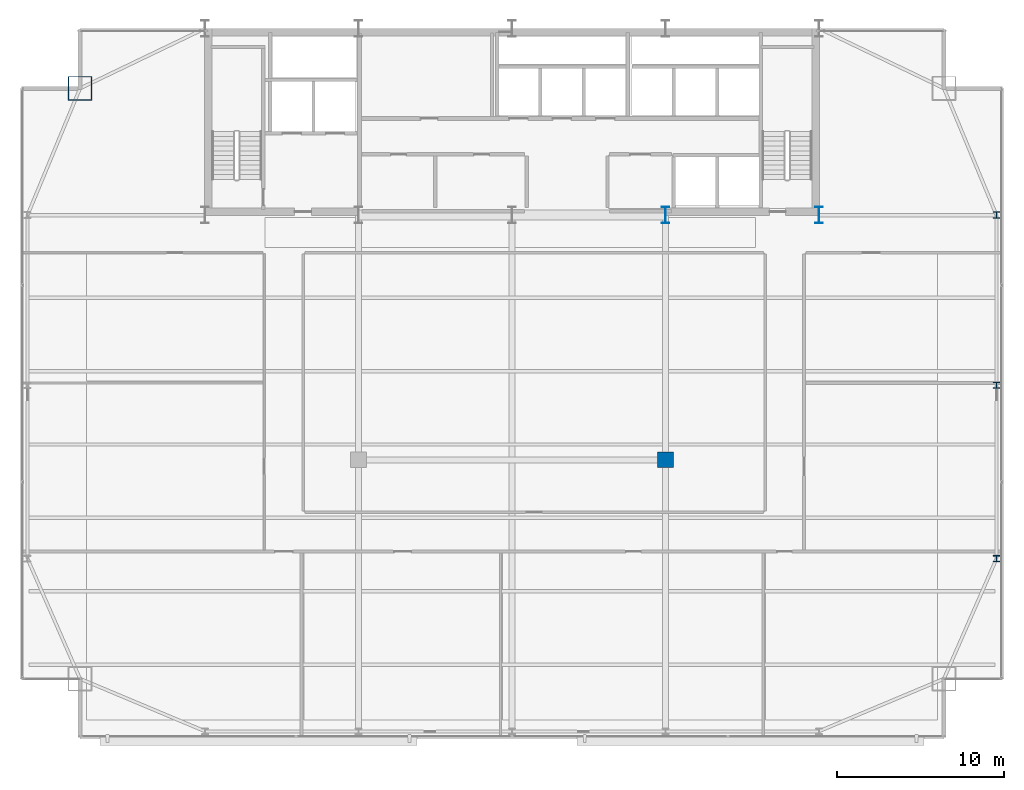
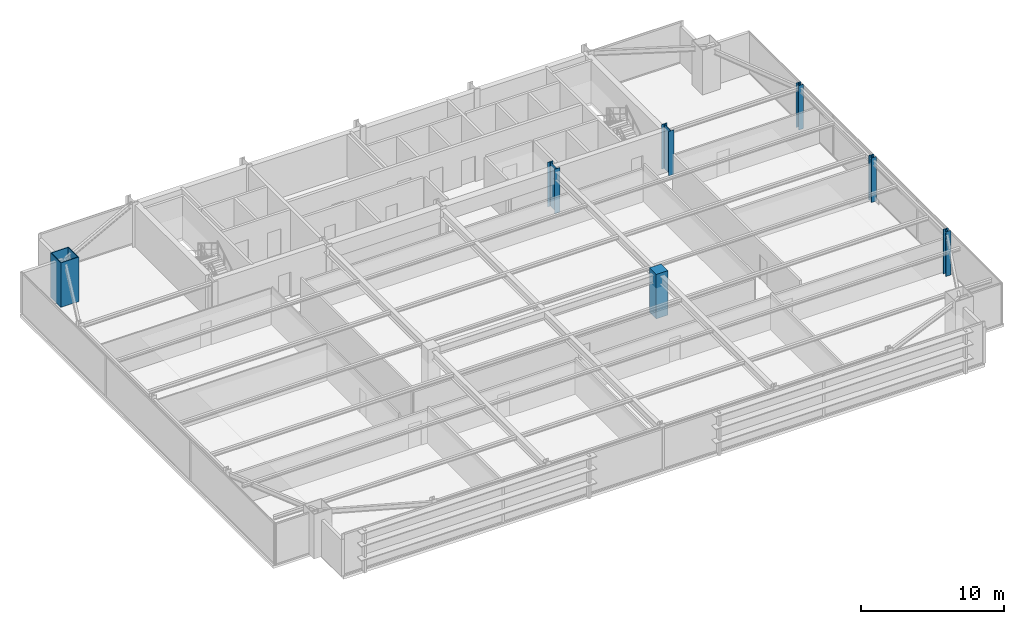
# One storey, part 2 of 33: 7 columns.
"""IFC4 building model written with IfcOpenShell, lengths in metres."""

from ifc_helpers import new_model, si_unit, direction, frame, origin, origin_2d, place, context, subcontext, project, spatial, rectangle, hollow_rectangle, i_section, extrude, source, transform, mapped, material, material_profile, profile_set, type_object, type_shapes, element, save


model = new_model("IFC4")

# Units and contexts
model_context = context("Model", 3, precision=1e-05, world=origin(), true_north=direction((0.0, 1.0)))
body_context = subcontext(model_context, "Body", "Model", "MODEL_VIEW")
ifc_project = project(units=[si_unit("LENGTHUNIT", "METRE"), si_unit("AREAUNIT", "SQUARE_METRE"), si_unit("VOLUMEUNIT", "CUBIC_METRE"), si_unit("PLANEANGLEUNIT", "RADIAN"), si_unit("MASSUNIT", "GRAM", prefix="KILO")], contexts=[model_context])

# Site, building, storey
site_placement = place(None, origin())
site = spatial("IfcSite", under=ifc_project, at=site_placement, CompositionType="ELEMENT")
building_placement = place(site_placement, origin())
building = spatial("IfcBuilding", under=site, at=building_placement, Name="Varnel Quay Broadcast Tower", CompositionType="ELEMENT")
storey_placement = place(building_placement, frame((0.0, 0.0, 129.60009765625)))
storey = spatial("IfcBuildingStorey", under=building, at=storey_placement, Name="L31", CompositionType="ELEMENT", Elevation=129.60009765625)

# Columns
ifc_material_1 = material(Name="Structural Steel CSA G40.21 350WT", Category="steel")
ifc_material_profile_1 = material_profile(ifc_material_1, i_section(OverallWidth=0.449951171875, OverallDepth=1.0, WebThickness=0.01611328125, FlangeThickness=0.030029296875, FilletRadius=0.01611328125, at=origin_2d()), Name="WWF1000X362")
ifc_profile_set_1 = profile_set([ifc_material_profile_1], Name="Structural Steel CSA G40.21 350WT")
column_type_1 = type_object("IfcColumnType", Name="Col_WWF1000X362", PredefinedType="COLUMN", material=ifc_profile_set_1)
shared_shape_1 = source(origin(), body_context, "Body", "SweptSolid", [
    extrude(i_section(OverallWidth=0.449951171875, OverallDepth=1.0, WebThickness=0.01611328125, FlangeThickness=0.030029296875, FilletRadius=0.01611328125, at=origin_2d()), origin(), (0.0, 0.0, 1.0), 3.7998046875),
])
type_shapes(column_type_1, [shared_shape_1])
for number, where, z_axis, x_axis, name in (
    (1, (43.199951171875, 35.60009765625, 0.0), (0.0, 0.0, 1.0), (1.0, 0.0, 0.0), "L31 Column CC-S4"),
    (2, (52.39990234375, 35.60009765625, 0.0), (0.0, 0.0, 1.0), (1.0, 0.0, 0.0), "L31 Column CC-S5"),
):
    element("IfcColumn", number, at=place(storey_placement, frame(where, z_axis=z_axis, x_axis=x_axis)), inside=storey, type_object=column_type_1, Name=name, PredefinedType="COLUMN", context=body_context, shape_type="MappedRepresentation", body=[
        mapped(shared_shape_1, transform((0.0, 0.0, 0.0), x_axis=(1.0, 0.0, 0.0), y_axis=(0.0, 1.0, 0.0), z_axis=(0.0, 0.0, 1.0), scale=1.0)),
    ])
ifc_material_profile_2 = material_profile(ifc_material_1, hollow_rectangle(XDim=1.449951171875, YDim=1.449951171875, WallThickness=0.054931640625, at=origin_2d()), Name="BOX1450X1450X55")
ifc_profile_set_2 = profile_set([ifc_material_profile_2], Name="Structural Steel CSA G40.21 350WT")
column_type_2 = type_object("IfcColumnType", Name="Col_BOX1450X1450X55", PredefinedType="COLUMN", material=ifc_profile_set_2)
shared_shape_2 = source(origin(), body_context, "Body", "SweptSolid", [
    extrude(hollow_rectangle(XDim=1.449951171875, YDim=1.449951171875, WallThickness=0.054931640625, at=origin_2d()), origin(), (0.0, 0.0, 1.0), 3.7998046875),
])
type_shapes(column_type_2, [shared_shape_2])
column_1_placement = place(storey_placement, frame((8.10009765625, 43.199951171875, 0.0), z_axis=(0.0, 0.0, 1.0), x_axis=(1.0, 0.0, 0.0)))
element("IfcColumn", 3, at=column_1_placement, inside=storey, type_object=column_type_2, Name="L31 Column MC-NW", PredefinedType="COLUMN", context=body_context, shape_type="MappedRepresentation", body=[
    mapped(shared_shape_2, transform((0.0, 0.0, 0.0), x_axis=(1.0, 0.0, 0.0), y_axis=(0.0, 1.0, 0.0), z_axis=(0.0, 0.0, 1.0), scale=1.0)),
])
ifc_material_2 = material(Name="Structural Steel CSA G40.21 350W", Category="steel")
ifc_material_profile_3 = material_profile(ifc_material_2, i_section(OverallWidth=0.39794921875, OverallDepth=0.386962890625, WebThickness=0.02099609375, FlangeThickness=0.033203125, FilletRadius=0.01806640625, at=origin_2d()), Name="W360X262")
ifc_profile_set_3 = profile_set([ifc_material_profile_3], Name="Structural Steel CSA G40.21 350W")
column_type_3 = type_object("IfcColumnType", Name="Col_W360X262", PredefinedType="COLUMN", material=ifc_profile_set_3)
shared_shape_3 = source(origin(), body_context, "Body", "SweptSolid", [
    extrude(i_section(OverallWidth=0.39794921875, OverallDepth=0.386962890625, WebThickness=0.02099609375, FlangeThickness=0.033203125, FilletRadius=0.01806640625, at=origin_2d()), origin(), (0.0, 0.0, 1.0), 3.7998046875),
])
type_shapes(column_type_3, [shared_shape_3])
for number, where, z_axis, x_axis, name in (
    (4, (63.050048828125, 15.0, 0.0), (0.0, 0.0, 1.0), (1.0, 0.0, 0.0), "L31 Column TC-E1"),
    (5, (63.050048828125, 25.39990234375, 0.0), (0.0, 0.0, 1.0), (1.0, 0.0, 0.0), "L31 Column TC-E2"),
    (6, (63.050048828125, 35.60009765625, 0.0), (0.0, 0.0, 1.0), (1.0, 0.0, 0.0), "L31 Column TC-E3"),
):
    element("IfcColumn", number, at=place(storey_placement, frame(where, z_axis=z_axis, x_axis=x_axis)), inside=storey, type_object=column_type_3, Name=name, PredefinedType="COLUMN", context=body_context, shape_type="MappedRepresentation", body=[
        mapped(shared_shape_3, transform((0.0, 0.0, 0.0), x_axis=(1.0, 0.0, 0.0), y_axis=(0.0, 1.0, 0.0), z_axis=(0.0, 0.0, 1.0), scale=1.0)),
    ])
ifc_material_3 = material(Name="Concrete CSA A23.3 C50/60", Category="concrete")
ifc_material_profile_4 = material_profile(ifc_material_3, rectangle(XDim=0.949951171875, YDim=0.949951171875, at=origin_2d()), Name="RC950X950")
ifc_profile_set_4 = profile_set([ifc_material_profile_4], Name="Concrete CSA A23.3 C50/60")
column_type_4 = type_object("IfcColumnType", Name="Col_RC950X950", PredefinedType="COLUMN", material=ifc_profile_set_4)
shared_shape_4 = source(origin(), body_context, "Body", "SweptSolid", [
    extrude(rectangle(XDim=0.949951171875, YDim=0.949951171875, at=origin_2d()), origin(), (0.0, 0.0, 1.0), 3.7998046875),
])
type_shapes(column_type_4, [shared_shape_4])
column_2_placement = place(storey_placement, frame((43.199951171875, 20.929931640625, 0.0), z_axis=(0.0, 0.0, 1.0), x_axis=(1.0, 0.0, 0.0)))
element("IfcColumn", 7, at=column_2_placement, inside=storey, type_object=column_type_4, Name="L31 Column IC-02", PredefinedType="COLUMN", context=body_context, shape_type="MappedRepresentation", body=[
    mapped(shared_shape_4, transform((0.0, 0.0, 0.0), x_axis=(1.0, 0.0, 0.0), y_axis=(0.0, 1.0, 0.0), z_axis=(0.0, 0.0, 1.0), scale=1.0)),
])

save(model, "model.ifc")
